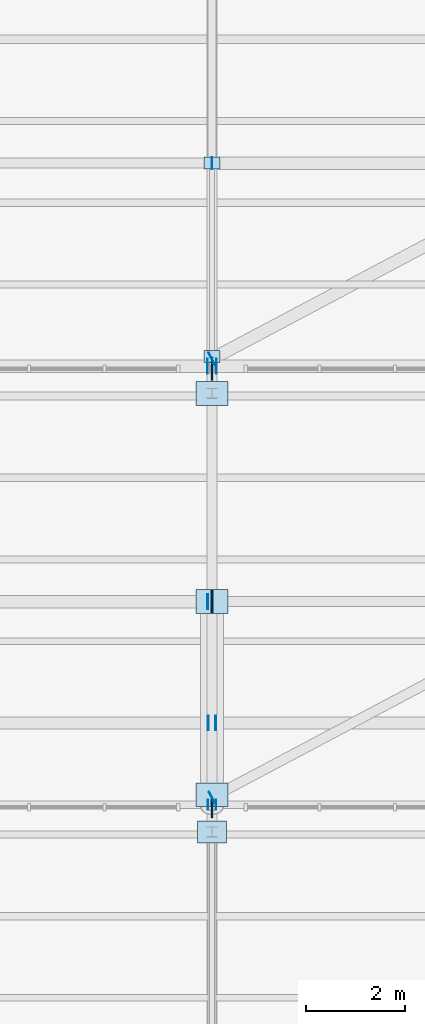
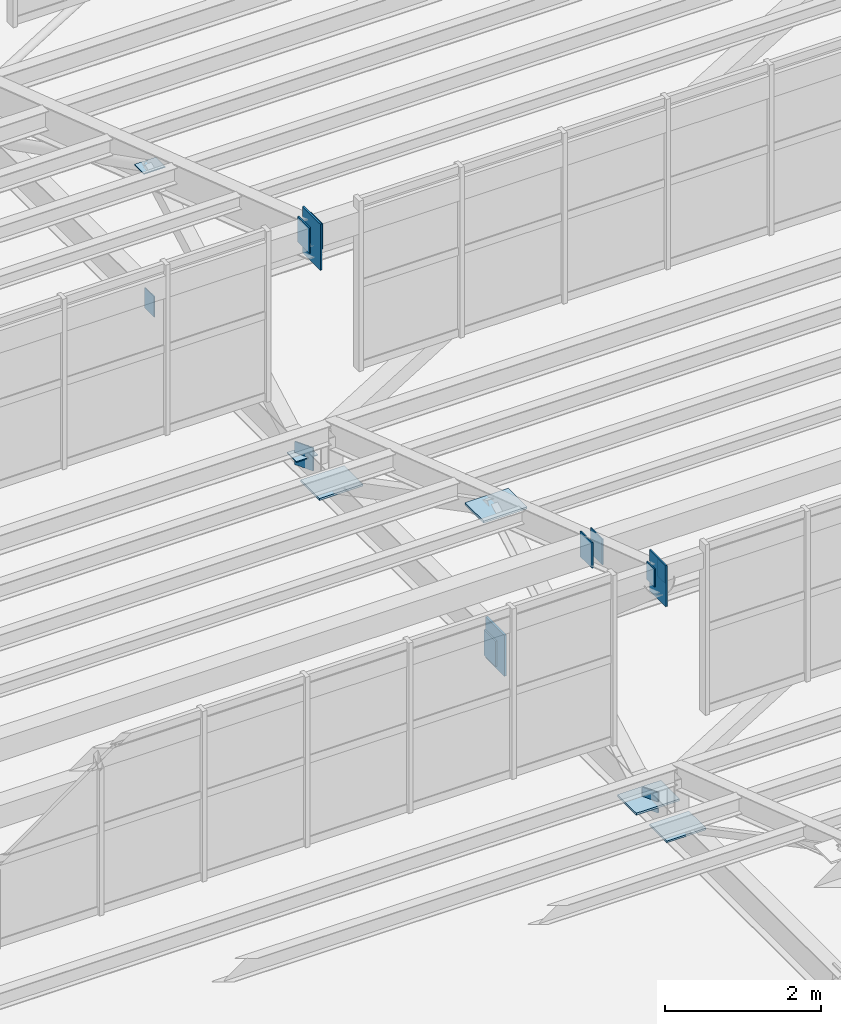
# One storey, part 213 of 285: 19 plates.
"""IFC4 building model written with IfcOpenShell, lengths in metres."""

from ifc_helpers import new_model, si_unit, direction, frame, origin, origin_2d, place, context, subcontext, project, spatial, rectangle, extrude, material, layer, layer_set, type_object, element, save


model = new_model("IFC4")

# Units and contexts
model_context = context("Model", 3, precision=1e-05, world=origin(), true_north=direction((0.0, 1.0)))
body_context = subcontext(model_context, "Body", "Model", "MODEL_VIEW")
ifc_project = project(units=[si_unit("LENGTHUNIT", "METRE"), si_unit("AREAUNIT", "SQUARE_METRE"), si_unit("VOLUMEUNIT", "CUBIC_METRE"), si_unit("PLANEANGLEUNIT", "RADIAN"), si_unit("MASSUNIT", "GRAM", prefix="KILO")], contexts=[model_context])

# Site, building, storey
site_placement = place(None, origin())
site = spatial("IfcSite", under=ifc_project, at=site_placement, CompositionType="ELEMENT")
building_placement = place(site_placement, origin())
building = spatial("IfcBuilding", under=site, at=building_placement, Name="Solanera Park Tramway Depot", CompositionType="ELEMENT")
storey_placement = place(building_placement, origin())
storey = spatial("IfcBuildingStorey", under=building, at=storey_placement, Name="L00", CompositionType="ELEMENT", Elevation=0.0)

# Plates
ifc_material_1 = material(Name="Steel AS/NZS 3679.1 Grade 350", Category="steel")
ifc_layer_1 = layer(ifc_material_1, 0.013916015625)
ifc_layer_set_1 = layer_set([ifc_layer_1], Name="Steel AS/NZS 3679.1 Grade 350")
plate_type_1 = type_object("IfcPlateType", Name="Hollow End Cap and Base Plate 280x200x14", PredefinedType="USERDEFINED", material=ifc_layer_set_1)
for number, where, z_axis, x_axis, name in (
    (1, (89.922119140625, 64.64990234375, 10.0), (0.0, 0.0, 1.0), (1.0, 0.0, 0.0), "Hollow Section Welded End Cap Plate #0231"),
    (2, (90.077880859375, 64.64990234375, 10.0), (0.0, 0.0, 1.0), (1.0, 0.0, 0.0), "Hollow Section Welded End Cap Plate #0232"),
):
    element("IfcPlate", number, at=place(storey_placement, frame(where, z_axis=z_axis, x_axis=x_axis)), inside=storey, type_object=plate_type_1, Name=name, ObjectType="BASE PLATE", PredefinedType="USERDEFINED", context=body_context, shape_type="SweptSolid", body=[
        extrude(rectangle(XDim=0.013916015625, YDim=0.199951171875, at=origin_2d()), origin(), (0.0, 0.0, 1.0), 0.280029296875),
    ])
ifc_material_2 = material(Name="Steel AS/NZS 3679.1 Grade 350", Category="steel")
ifc_layer_2 = layer(ifc_material_2, 0.01611328125)
ifc_layer_set_2 = layer_set([ifc_layer_2], Name="Steel AS/NZS 3679.1 Grade 350")
plate_type_2 = type_object("IfcPlateType", Name="Hollow End Cap and Base Plate 320x240x16", PredefinedType="USERDEFINED", material=ifc_layer_set_2)
for number, where, z_axis, x_axis, name in (
    (3, (89.99853515625, 64.798095703125, 6.33984375), (0.0, 0.0, 1.0), (0.883520501477, 0.468392488698, 0.0), "Hollow Section Welded End Cap Plate #0262"),
    (4, (90.0, 77.60009765625, 6.33984375), (0.0, 0.0, 1.0), (1.0, 0.0, 0.0), "Sawtooth Truss Hollow End Cap #0297"),
):
    element("IfcPlate", number, at=place(storey_placement, frame(where, z_axis=z_axis, x_axis=x_axis)), inside=storey, type_object=plate_type_2, Name=name, ObjectType="BASE PLATE", PredefinedType="USERDEFINED", context=body_context, shape_type="SweptSolid", body=[
        extrude(rectangle(XDim=0.01611328125, YDim=0.239990234375, at=origin_2d()), origin(), (0.0, 0.0, 1.0), 0.320068359375),
    ])
for number, where, z_axis, x_axis, name in (
    (5, (90.0, 77.60009765625, 8.62158203125), (0.0, 0.0, 1.0), (1.0, 0.0, 0.0), "Sawtooth Truss Node Cap Plate #0299"),
    (6, (90.0, 73.699951171875, 6.491943359375), (0.0, 0.0, 1.0), (1.0, 0.0, 0.0), "Sawtooth Truss Node Cap Plate #0300"),
):
    element("IfcPlate", number, at=place(storey_placement, frame(where, z_axis=z_axis, x_axis=x_axis)), inside=storey, type_object=plate_type_2, Name=name, ObjectType="BASE PLATE", PredefinedType="USERDEFINED", context=body_context, shape_type="SweptSolid", body=[
        extrude(rectangle(XDim=0.320068359375, YDim=0.239990234375, at=origin_2d()), origin(), (0.0, 0.0, 1.0), 0.01611328125),
    ])
ifc_material_3 = material(Name="Steel AS/NZS 3679.1 Grade 350", Category="steel")
ifc_layer_3 = layer(ifc_material_3, 0.01806640625)
ifc_layer_set_3 = layer_set([ifc_layer_3], Name="Steel AS/NZS 3679.1 Grade 350")
plate_type_3 = type_object("IfcPlateType", Name="Hollow End Cap and Base Plate 360x280x18", PredefinedType="USERDEFINED", material=ifc_layer_set_3)
plate_1_placement = place(storey_placement, frame((89.99755859375, 73.647705078125, 6.31982421875), z_axis=(0.0, 0.0, 1.0), x_axis=(0.883520501477, 0.468392488698, 0.0)))
element("IfcPlate", 7, at=plate_1_placement, inside=storey, type_object=plate_type_3, Name="Hollow Section Welded End Cap Plate #0349", ObjectType="BASE PLATE", PredefinedType="USERDEFINED", context=body_context, shape_type="SweptSolid", body=[
    extrude(rectangle(XDim=0.01806640625, YDim=0.280029296875, at=origin_2d()), origin(), (0.0, 0.0, 1.0), 0.360107421875),
])
ifc_material_4 = material(Name="Steel AS/NZS 3679.1 Grade 350", Category="steel")
ifc_layer_4 = layer(ifc_material_4, 0.02001953125)
ifc_layer_set_4 = layer_set([ifc_layer_4], Name="Steel AS/NZS 3679.1 Grade 350")
plate_type_4 = type_object("IfcPlateType", Name="Hollow End Cap and Base Plate 400x300x20", PredefinedType="USERDEFINED", material=ifc_layer_set_4)
for number, where, z_axis, x_axis, name in (
    (8, (89.925048828125, 66.300048828125, 9.3212890625), (0.0, 0.0, 1.0), (1.0, 0.0, 0.0), "Hollow Section Welded End Cap Plate #0247"),
    (9, (90.074951171875, 66.300048828125, 9.3212890625), (0.0, 0.0, 1.0), (1.0, 0.0, 0.0), "Hollow Section Welded End Cap Plate #0248"),
    (10, (89.91796875, 68.75, 6.300048828125), (0.0, 0.0, 1.0), (1.0, 0.0, 0.0), "Hollow Section Welded End Cap Plate #0261"),
    (11, (89.9091796875, 73.5, 9.873291015625), (0.0, 0.0, 1.0), (1.0, 0.0, 0.0), "Hollow Section Welded End Cap Plate #0332"),
    (12, (90.0908203125, 73.5, 9.873291015625), (0.0, 0.0, 1.0), (1.0, 0.0, 0.0), "Hollow Section Welded End Cap Plate #0333"),
):
    element("IfcPlate", number, at=place(storey_placement, frame(where, z_axis=z_axis, x_axis=x_axis)), inside=storey, type_object=plate_type_4, Name=name, ObjectType="BASE PLATE", PredefinedType="USERDEFINED", context=body_context, shape_type="SweptSolid", body=[
        extrude(rectangle(XDim=0.02001953125, YDim=0.300048828125, at=origin_2d()), origin(), (0.0, 0.0, 1.0), 0.39990234375),
    ])
ifc_material_5 = material(Name="Steel AS/NZS 3679.1 Grade 350", Category="steel")
ifc_layer_5 = layer(ifc_material_5, 0.028076171875)
ifc_layer_set_5 = layer_set([ifc_layer_5], Name="Steel AS/NZS 3679.1 Grade 350")
plate_type_5 = type_object("IfcPlateType", Name="Hollow End Cap and Base Plate 580x440x28", PredefinedType="USERDEFINED", material=ifc_layer_set_5)
plate_2_placement = place(storey_placement, frame((90.0, 64.10009765625, 6.48583984375), z_axis=(0.0, 0.0, 1.0), x_axis=(1.0, 0.0, 0.0)))
element("IfcPlate", 13, at=plate_2_placement, inside=storey, type_object=plate_type_5, Name="Sawtooth Truss Node Cap Plate #0099", ObjectType="BASE PLATE", PredefinedType="USERDEFINED", context=body_context, shape_type="SweptSolid", body=[
    extrude(rectangle(XDim=0.580078125, YDim=0.43994140625, at=origin_2d()), origin(), (0.0, 0.0, 1.0), 0.028076171875),
])
ifc_material_6 = material(Name="Steel AS/NZS 3679.1 Grade 350", Category="steel")
ifc_layer_6 = layer(ifc_material_6, 0.031982421875)
ifc_layer_set_6 = layer_set([ifc_layer_6], Name="Steel AS/NZS 3679.1 Grade 350")
plate_type_6 = type_object("IfcPlateType", Name="Hollow End Cap and Base Plate 640x480x32", PredefinedType="USERDEFINED", material=ifc_layer_set_6)
plate_3_placement = place(storey_placement, frame((90.0, 68.75, 6.18017578125), z_axis=(0.0, 0.0, 1.0), x_axis=(1.0, 0.0, 0.0)))
element("IfcPlate", 14, at=plate_3_placement, inside=storey, type_object=plate_type_6, Name="Sawtooth Truss Hollow End Cap #0203", ObjectType="BASE PLATE", PredefinedType="USERDEFINED", context=body_context, shape_type="SweptSolid", body=[
    extrude(rectangle(XDim=0.031982421875, YDim=0.47998046875, at=origin_2d()), origin(), (0.0, 0.0, 1.0), 0.639892578125),
])
for number, where, z_axis, x_axis, name in (
    (15, (90.0, 72.949951171875, 6.48388671875), (0.0, 0.0, 1.0), (1.0, 0.0, 0.0), "Sawtooth Truss Node Cap Plate #0204"),
    (16, (90.0, 68.75, 8.67724609375), (0.0, 0.0, 1.0), (1.0, 0.0, 0.0), "Sawtooth Truss Node Cap Plate #0205"),
    (17, (90.0, 64.85009765625, 6.48388671875), (0.0, 0.0, 1.0), (1.0, 0.0, 0.0), "Sawtooth Truss Node Cap Plate #0206"),
):
    element("IfcPlate", number, at=place(storey_placement, frame(where, z_axis=z_axis, x_axis=x_axis)), inside=storey, type_object=plate_type_6, Name=name, ObjectType="BASE PLATE", PredefinedType="USERDEFINED", context=body_context, shape_type="SweptSolid", body=[
        extrude(rectangle(XDim=0.639892578125, YDim=0.47998046875, at=origin_2d()), origin(), (0.0, 0.0, 1.0), 0.031982421875),
    ])
ifc_material_7 = material(Name="Steel AS/NZS 3679.1 Grade 350", Category="steel")
ifc_layer_7 = layer(ifc_material_7, 0.02197265625)
ifc_layer_set_7 = layer_set([ifc_layer_7], Name="Steel AS/NZS 3679.1 Grade 350")
plate_type_7 = type_object("IfcPlateType", Name="Truss Node Gusset Stiffener 640x420x22", PredefinedType="SHEET", material=ifc_layer_set_7)
plate_4_placement = place(storey_placement, frame((90.0, 64.60009765625, 9.76171875), z_axis=(0.0, 0.0, 1.0), x_axis=(1.0, 0.0, 0.0)))
element("IfcPlate", 18, at=plate_4_placement, inside=storey, type_object=plate_type_7, Name="Sawtooth Truss Apex Gusset Plate #0202", PredefinedType="SHEET", context=body_context, shape_type="SweptSolid", body=[
    extrude(rectangle(XDim=0.02197265625, YDim=0.419921875, at=origin_2d()), origin(), (0.0, 0.0, 1.0), 0.639892578125),
])
ifc_material_8 = material(Name="Steel AS/NZS 3679.1 Grade 350", Category="steel")
ifc_layer_8 = layer(ifc_material_8, 0.02490234375)
ifc_layer_set_8 = layer_set([ifc_layer_8], Name="Steel AS/NZS 3679.1 Grade 350")
plate_type_8 = type_object("IfcPlateType", Name="Truss Node Gusset Stiffener 720x460x25", PredefinedType="SHEET", material=ifc_layer_set_8)
plate_5_placement = place(storey_placement, frame((90.0, 73.449951171875, 9.658203125), z_axis=(0.0, 0.0, 1.0), x_axis=(1.0, 0.0, 0.0)))
element("IfcPlate", 19, at=plate_5_placement, inside=storey, type_object=plate_type_8, Name="Sawtooth Truss Apex Gusset Plate #0296", PredefinedType="SHEET", context=body_context, shape_type="SweptSolid", body=[
    extrude(rectangle(XDim=0.02490234375, YDim=0.4599609375, at=origin_2d()), origin(), (0.0, 0.0, 1.0), 0.719970703125),
])

save(model, "model.ifc")
